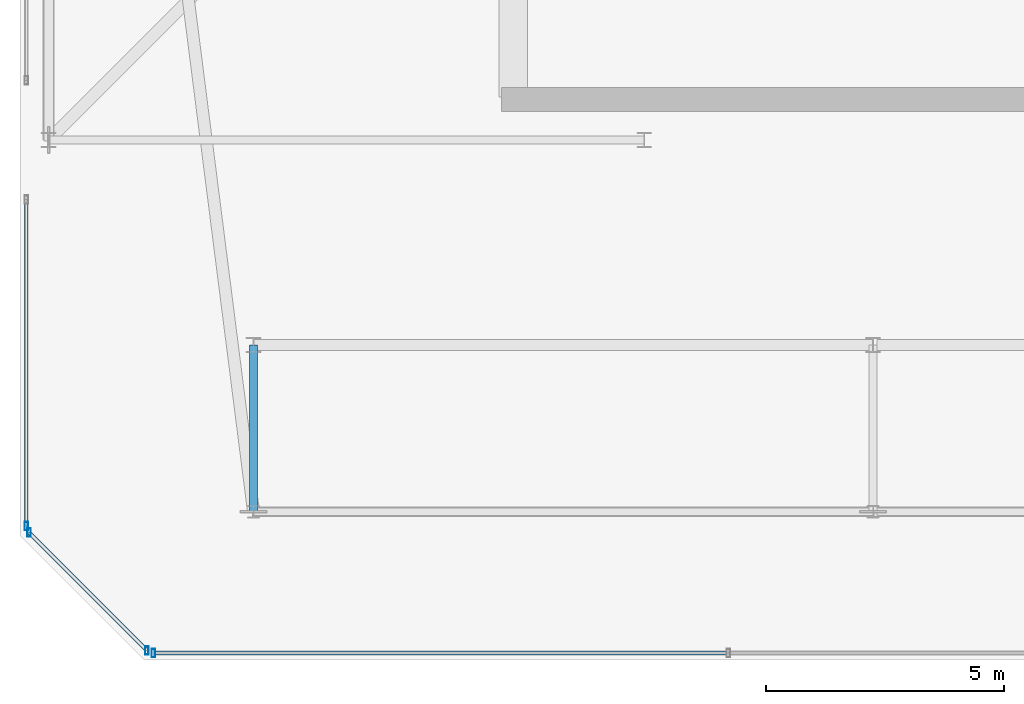
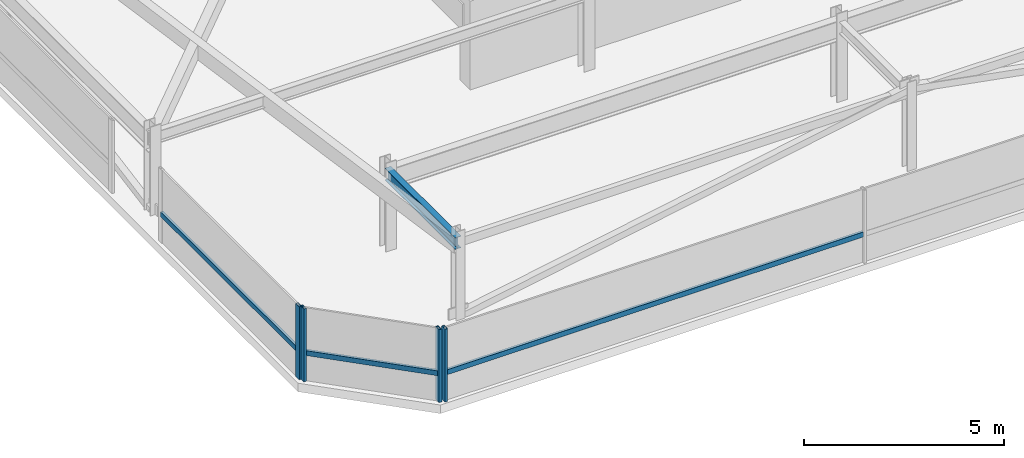
# One storey, part 9 of 44: 7 members, 1 beam, 3 elements without a shape of their own.
"""IFC4 building model written with IfcOpenShell, lengths in metres."""

from ifc_helpers import new_model, si_unit, direction, frame, origin, origin_2d, place, context, subcontext, project, spatial, hollow_rectangle, i_section, extrude, material, material_profile, profile_set, type_object, element, aggregate, save


model = new_model("IFC4")

# Units and contexts
model_context = context("Model", 3, precision=1e-05, world=origin(), true_north=direction((0.0, 1.0)))
body_context = subcontext(model_context, "Body", "Model", "MODEL_VIEW")
ifc_project = project(units=[si_unit("LENGTHUNIT", "METRE"), si_unit("AREAUNIT", "SQUARE_METRE"), si_unit("VOLUMEUNIT", "CUBIC_METRE"), si_unit("PLANEANGLEUNIT", "RADIAN"), si_unit("MASSUNIT", "GRAM", prefix="KILO")], contexts=[model_context])

# Site, building, storey
site_placement = place(None, origin())
site = spatial("IfcSite", under=ifc_project, at=site_placement, CompositionType="ELEMENT")
building_placement = place(site_placement, origin())
building = spatial("IfcBuilding", under=site, at=building_placement, Name="Thornwick Lancets Civic Towers", CompositionType="ELEMENT")
storey_placement = place(building_placement, frame((0.0, 0.0, 292.199951171875)))
storey = spatial("IfcBuildingStorey", under=building, at=storey_placement, Name="C05", CompositionType="ELEMENT", Elevation=292.199951171875)

# Beam
ifc_material_1 = material(Name="Steel S355JR", Category="steel")
ifc_material_profile_1 = material_profile(ifc_material_1, i_section(OverallWidth=0.173095703125, OverallDepth=0.36328125, WebThickness=0.009033203125, FlangeThickness=0.015625, FilletRadius=0.01025390625, at=origin_2d()), Name="UKB 356x171x67")
ifc_profile_set_1 = profile_set([ifc_material_profile_1], Name="Steel S355JR")
beam_type = type_object("IfcBeamType", Name="BM_JOIST_356_67", PredefinedType="JOIST", material=ifc_profile_set_1)
beam_placement = place(storey_placement, frame((12.5, 9.699951171875, 2.25830078125), z_axis=(0.0, -1.0, 0.0), x_axis=(1.0, 0.0, 0.0)))
element("IfcBeam", 1, at=beam_placement, inside=storey, type_object=beam_type, Name="BM-RAD-C05-A01", PredefinedType="JOIST", context=body_context, shape_type="SweptSolid", body=[
    extrude(i_section(OverallWidth=0.173095703125, OverallDepth=0.36328125, WebThickness=0.009033203125, FlangeThickness=0.015625, FilletRadius=0.01025390625, at=origin_2d()), origin(), (0.0, 0.0, 1.0), 3.5),
])

# Curtain wall, member
ifc_material_2 = material(Name="Crown ring acoustic-louvre and glazing screen wall", Category="glass")
curtain_wall_type = type_object("IfcCurtainWallType", Name="CW_SYS_07", PredefinedType="NOTDEFINED", material=ifc_material_2)
curtain_wall_1_placement = place(storey_placement, origin())
curtain_wall_1 = element("IfcCurtainWall", 2, at=curtain_wall_1_placement, inside=storey, type_object=curtain_wall_type, Name="C05 Curtain Wall CW-C05-A-E0", PredefinedType="NOTDEFINED")
ifc_material_3 = material(Name="Thermally broken bronze aluminium S355", Category="steel")
ifc_material_profile_2 = material_profile(ifc_material_3, hollow_rectangle(XDim=0.074951171875, YDim=0.179931640625, WallThickness=0.006103515625, at=origin_2d()), Name="RHS 180x75x6")
ifc_profile_set_2 = profile_set([ifc_material_profile_2], Name="Thermally broken bronze aluminium S355")
member_type_1 = type_object("IfcMemberType", Name="CW_MUL_180", PredefinedType="MULLION", material=ifc_profile_set_2)
member_1_placement = place(storey_placement, frame((10.398681640625, 3.2353515625, 0.0), z_axis=(0.0, 0.0, 1.0), x_axis=(1.0, 0.0, 0.0)))
member_1 = element("IfcMember", 3, at=member_1_placement, type_object=member_type_1, Name="CW-C05-A-E0 Mullion 0", PredefinedType="MULLION", context=body_context, shape_type="SweptSolid", body=[
    extrude(hollow_rectangle(XDim=0.074951171875, YDim=0.179931640625, WallThickness=0.006103515625, at=origin_2d()), origin(), (0.0, 0.0, 1.0), 2.219970703125),
])

curtain_wall_2_placement = place(storey_placement, origin())
curtain_wall_2 = element("IfcCurtainWall", 4, at=curtain_wall_2_placement, inside=storey, type_object=curtain_wall_type, Name="C05 Curtain Wall CW-C05-A-E6-S3", PredefinedType="NOTDEFINED")
member_2_placement = place(storey_placement, frame((7.7353515625, 5.898681640625, 0.0), z_axis=(0.0, 0.0, 1.0), x_axis=(1.0, 0.0, 0.0)))
member_2 = element("IfcMember", 5, at=member_2_placement, type_object=member_type_1, Name="CW-C05-A-E6-S3 Mullion 1", PredefinedType="MULLION", context=body_context, shape_type="SweptSolid", body=[
    extrude(hollow_rectangle(XDim=0.074951171875, YDim=0.179931640625, WallThickness=0.006103515625, at=origin_2d()), origin(), (0.0, 0.0, 1.0), 2.219970703125),
])

# Curtain wall, members
curtain_wall_3_placement = place(storey_placement, origin())
curtain_wall_3 = element("IfcCurtainWall", 6, at=curtain_wall_3_placement, inside=storey, type_object=curtain_wall_type, Name="C05 Curtain Wall CW-C05-A-E7", PredefinedType="NOTDEFINED")
member_3_placement = place(storey_placement, frame((7.7919921875, 5.761962890625, 0.0), z_axis=(0.0, 0.0, 1.0), x_axis=(1.0, 0.0, 0.0)))
member_3 = element("IfcMember", 7, at=member_3_placement, type_object=member_type_1, Name="CW-C05-A-E7 Mullion 0", PredefinedType="MULLION", context=body_context, shape_type="SweptSolid", body=[
    extrude(hollow_rectangle(XDim=0.074951171875, YDim=0.179931640625, WallThickness=0.006103515625, at=origin_2d()), origin(), (0.0, 0.0, 1.0), 2.219970703125),
])
member_4_placement = place(storey_placement, frame((10.261962890625, 3.2919921875, 0.0), z_axis=(0.0, 0.0, 1.0), x_axis=(1.0, 0.0, 0.0)))
member_4 = element("IfcMember", 8, at=member_4_placement, type_object=member_type_1, Name="CW-C05-A-E7 Mullion 1", PredefinedType="MULLION", context=body_context, shape_type="SweptSolid", body=[
    extrude(hollow_rectangle(XDim=0.074951171875, YDim=0.179931640625, WallThickness=0.006103515625, at=origin_2d()), origin(), (0.0, 0.0, 1.0), 2.219970703125),
])

# Member
ifc_material_profile_3 = material_profile(ifc_material_3, hollow_rectangle(XDim=0.074951171875, YDim=0.14990234375, WallThickness=0.0048828125, at=origin_2d()), Name="RHS 150x75x5")
ifc_profile_set_3 = profile_set([ifc_material_profile_3], Name="Thermally broken bronze aluminium S355")
member_type_2 = type_object("IfcMemberType", Name="CW_TRN_150", PredefinedType="USERDEFINED", material=ifc_profile_set_3)
member_5_placement = place(storey_placement, frame((10.418701171875, 3.2353515625, 0.85009765625), z_axis=(1.0, 0.0, 0.0), x_axis=(0.0, 1.0, 0.0)))
member_5 = element("IfcMember", 9, at=member_5_placement, type_object=member_type_2, Name="CW-C05-A-E0 Transom 0", ObjectType="TRANSOM", PredefinedType="USERDEFINED", context=body_context, shape_type="SweptSolid", body=[
    extrude(hollow_rectangle(XDim=0.074951171875, YDim=0.14990234375, WallThickness=0.0048828125, at=origin_2d()), origin(), (0.0, 0.0, 1.0), 12.027587890625),
])

aggregate(curtain_wall_1, [member_1, member_5])

member_6_placement = place(storey_placement, frame((7.7353515625, 12.72998046875, 0.85009765625), z_axis=(0.0, -1.0, 0.0), x_axis=(1.0, 0.0, 0.0)))
member_6 = element("IfcMember", 10, at=member_6_placement, type_object=member_type_2, Name="CW-C05-A-E6-S3 Transom 0", ObjectType="TRANSOM", PredefinedType="USERDEFINED", context=body_context, shape_type="SweptSolid", body=[
    extrude(hollow_rectangle(XDim=0.074951171875, YDim=0.14990234375, WallThickness=0.0048828125, at=origin_2d()), origin(), (0.0, 0.0, 1.0), 6.811279296875),
])

aggregate(curtain_wall_2, [member_2, member_6])

member_7_placement = place(storey_placement, frame((7.80615234375, 5.747802734375, 0.85009765625), z_axis=(0.707106781187, -0.707106781187, 0.0), x_axis=(0.707106781187, 0.707106781187, 0.0)))
member_7 = element("IfcMember", 11, at=member_7_placement, type_object=member_type_2, Name="CW-C05-A-E7 Transom 0", ObjectType="TRANSOM", PredefinedType="USERDEFINED", context=body_context, shape_type="SweptSolid", body=[
    extrude(hollow_rectangle(XDim=0.074951171875, YDim=0.14990234375, WallThickness=0.0048828125, at=origin_2d()), origin(), (0.0, 0.0, 1.0), 3.453125),
])

aggregate(curtain_wall_3, [member_3, member_4, member_7])

save(model, "model.ifc")
